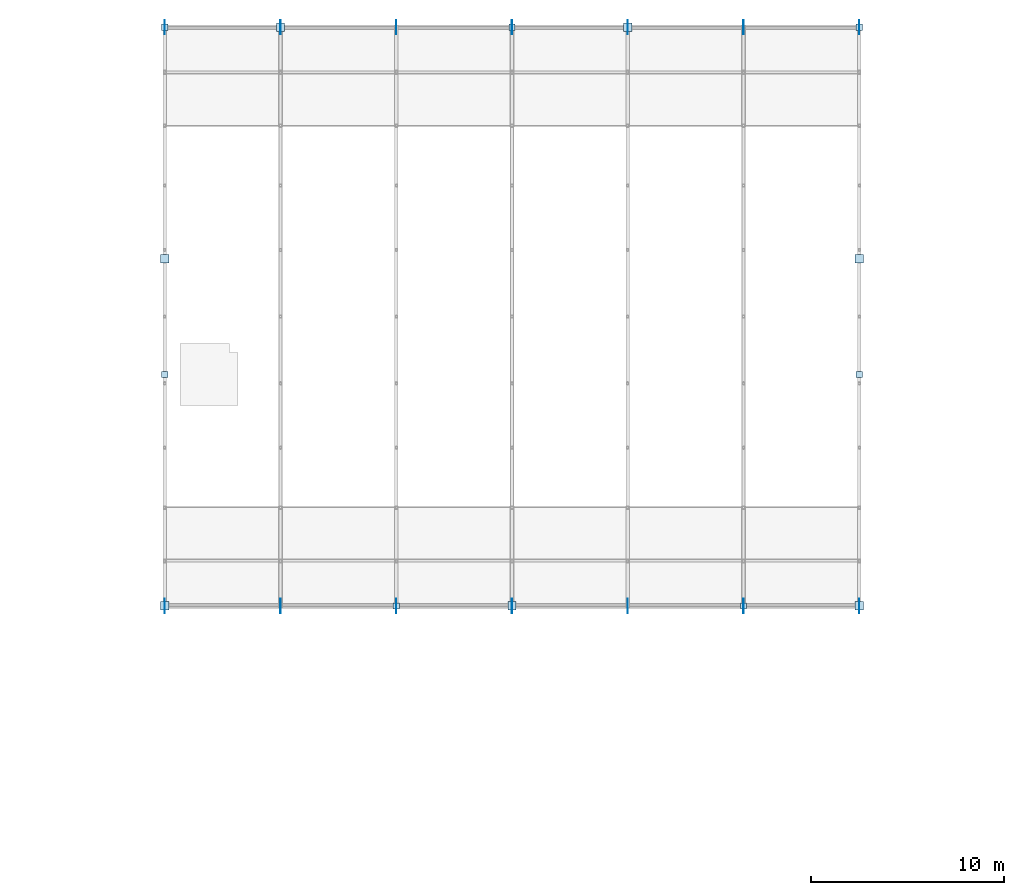
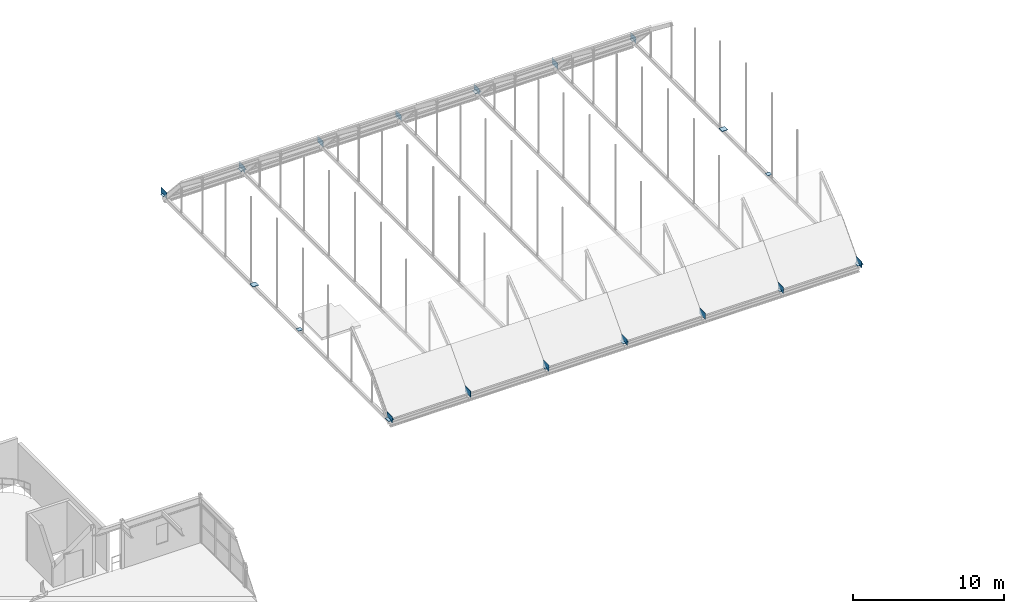
# One storey, part 46 of 63: 28 plates.
"""IFC4 building model written with IfcOpenShell, lengths in metres."""

from ifc_helpers import new_model, si_unit, direction, frame, origin, origin_2d, place, context, subcontext, project, spatial, rectangle, extrude, material, layer, layer_set, type_object, element, save


model = new_model("IFC4")

# Units and contexts
model_context = context("Model", 3, precision=1e-05, world=origin(), true_north=direction((0.0, 1.0)))
body_context = subcontext(model_context, "Body", "Model", "MODEL_VIEW")
ifc_project = project(units=[si_unit("LENGTHUNIT", "METRE"), si_unit("AREAUNIT", "SQUARE_METRE"), si_unit("VOLUMEUNIT", "CUBIC_METRE"), si_unit("PLANEANGLEUNIT", "RADIAN"), si_unit("MASSUNIT", "GRAM", prefix="KILO")], contexts=[model_context])

# Site, building, storey
site_placement = place(None, origin())
site = spatial("IfcSite", under=ifc_project, at=site_placement, CompositionType="ELEMENT")
building_placement = place(site_placement, origin())
building = spatial("IfcBuilding", under=site, at=building_placement, Name="Varnakota Square Police Headquarters", CompositionType="ELEMENT")
storey_placement = place(building_placement, frame((0.0, 0.0, 22.199951171875)))
storey = spatial("IfcBuildingStorey", under=building, at=storey_placement, Name="L05", CompositionType="ELEMENT", Elevation=22.199951171875)

# Plates
ifc_material = material(Name="Steel IS 2062 Grade 350", Category="steel")
ifc_layer_1 = layer(ifc_material, 0.01611328125, Name="Steel IS 2062 Grade 350")
ifc_layer_set_1 = layer_set([ifc_layer_1], Name="Steel IS 2062 Grade 350")
plate_type_1 = type_object("IfcPlateType", Name="PL-CAP-16", PredefinedType="SHEET", material=ifc_layer_set_1)
for number, where, z_axis, x_axis, name in (
    (1, (60.0, 81.0, -0.001953125), (0.0, 0.0, 1.0), (1.0, 0.0, 0.0), "Hollow column top cap plate CP-COL-X0600-Y0810"),
    (2, (60.0, 99.0, -0.001953125), (0.0, 0.0, 1.0), (1.0, 0.0, 0.0), "Hollow column top cap plate CP-COL-X0600-Y0990"),
    (3, (72.0, 69.0, -0.001953125), (0.0, 0.0, 1.0), (1.0, 0.0, 0.0), "Hollow column top cap plate CP-COL-X0720-Y0690"),
    (4, (78.0, 99.0, -0.001953125), (0.0, 0.0, 1.0), (1.0, 0.0, 0.0), "Hollow column top cap plate CP-COL-X0780-Y0990"),
    (5, (90.0, 69.0, -0.001953125), (0.0, 0.0, 1.0), (1.0, 0.0, 0.0), "Hollow column top cap plate CP-COL-X0900-Y0690"),
    (6, (96.0, 81.0, -0.001953125), (0.0, 0.0, 1.0), (1.0, 0.0, 0.0), "Hollow column top cap plate CP-COL-X0960-Y0810"),
    (7, (96.0, 99.0, -0.001953125), (0.0, 0.0, 1.0), (1.0, 0.0, 0.0), "Hollow column top cap plate CP-COL-X0960-Y0990"),
):
    element("IfcPlate", number, at=place(storey_placement, frame(where, z_axis=z_axis, x_axis=x_axis)), inside=storey, type_object=plate_type_1, Name=name, PredefinedType="SHEET", context=body_context, shape_type="SweptSolid", body=[
        extrude(rectangle(XDim=0.330078125, YDim=0.330078125, at=origin_2d()), origin(), (0.0, 0.0, 1.0), 0.01611328125),
    ])
ifc_layer_2 = layer(ifc_material, 0.02001953125, Name="Steel IS 2062 Grade 350")
ifc_layer_set_2 = layer_set([ifc_layer_2], Name="Steel IS 2062 Grade 350")
plate_type_2 = type_object("IfcPlateType", Name="PL-CAP-20", PredefinedType="SHEET", material=ifc_layer_set_2)
for number, where, z_axis, x_axis, name in (
    (8, (60.0, 69.0, -0.001953125), (0.0, 0.0, 1.0), (1.0, 0.0, 0.0), "Hollow column top cap plate CP-COL-X0600-Y0690"),
    (9, (60.0, 87.0, -0.001953125), (0.0, 0.0, 1.0), (1.0, 0.0, 0.0), "Hollow column top cap plate CP-COL-X0600-Y0870"),
    (10, (66.0, 99.0, -0.001953125), (0.0, 0.0, 1.0), (1.0, 0.0, 0.0), "Hollow column top cap plate CP-COL-X0660-Y0990"),
    (11, (78.0, 69.0, -0.001953125), (0.0, 0.0, 1.0), (1.0, 0.0, 0.0), "Hollow column top cap plate CP-COL-X0780-Y0690"),
    (12, (84.0, 99.0, -0.001953125), (0.0, 0.0, 1.0), (1.0, 0.0, 0.0), "Hollow column top cap plate CP-COL-X0840-Y0990"),
    (13, (96.0, 69.0, -0.001953125), (0.0, 0.0, 1.0), (1.0, 0.0, 0.0), "Hollow column top cap plate CP-COL-X0960-Y0690"),
    (14, (96.0, 87.0, -0.001953125), (0.0, 0.0, 1.0), (1.0, 0.0, 0.0), "Hollow column top cap plate CP-COL-X0960-Y0870"),
):
    element("IfcPlate", number, at=place(storey_placement, frame(where, z_axis=z_axis, x_axis=x_axis)), inside=storey, type_object=plate_type_2, Name=name, PredefinedType="SHEET", context=body_context, shape_type="SweptSolid", body=[
        extrude(rectangle(XDim=0.436279296875, YDim=0.436279296875, at=origin_2d()), origin(), (0.0, 0.0, 1.0), 0.02001953125),
    ])
ifc_layer_3 = layer(ifc_material, 0.01611328125, Name="Steel IS 2062 Grade 350")
ifc_layer_set_3 = layer_set([ifc_layer_3], Name="Steel IS 2062 Grade 350")
plate_type_3 = type_object("IfcPlateType", Name="PL-GUS-16", PredefinedType="SHEET", material=ifc_layer_set_3)
for number, where, z_axis, x_axis, name in (
    (15, (60.0, 69.0, -0.099853515625), (0.0, 0.0, 1.0), (1.0, 0.0, 0.0), "Vault springing gusset GP-017"),
    (16, (60.0, 99.0, -0.099853515625), (0.0, 0.0, 1.0), (1.0, 0.0, 0.0), "Vault springing gusset GP-018"),
    (17, (66.0, 69.0, -0.099853515625), (0.0, 0.0, 1.0), (1.0, 0.0, 0.0), "Vault springing gusset GP-019"),
    (18, (66.0, 99.0, -0.099853515625), (0.0, 0.0, 1.0), (1.0, 0.0, 0.0), "Vault springing gusset GP-020"),
    (19, (72.0, 69.0, -0.099853515625), (0.0, 0.0, 1.0), (1.0, 0.0, 0.0), "Vault springing gusset GP-021"),
    (20, (72.0, 99.0, -0.099853515625), (0.0, 0.0, 1.0), (1.0, 0.0, 0.0), "Vault springing gusset GP-022"),
    (21, (78.0, 69.0, -0.099853515625), (0.0, 0.0, 1.0), (1.0, 0.0, 0.0), "Vault springing gusset GP-023"),
    (22, (78.0, 99.0, -0.099853515625), (0.0, 0.0, 1.0), (1.0, 0.0, 0.0), "Vault springing gusset GP-024"),
    (23, (84.0, 69.0, -0.099853515625), (0.0, 0.0, 1.0), (1.0, 0.0, 0.0), "Vault springing gusset GP-025"),
    (24, (84.0, 99.0, -0.099853515625), (0.0, 0.0, 1.0), (1.0, 0.0, 0.0), "Vault springing gusset GP-026"),
    (25, (90.0, 69.0, -0.099853515625), (0.0, 0.0, 1.0), (1.0, 0.0, 0.0), "Vault springing gusset GP-027"),
    (26, (90.0, 99.0, -0.099853515625), (0.0, 0.0, 1.0), (1.0, 0.0, 0.0), "Vault springing gusset GP-028"),
    (27, (96.0, 69.0, -0.099853515625), (0.0, 0.0, 1.0), (1.0, 0.0, 0.0), "Vault springing gusset GP-029"),
    (28, (96.0, 99.0, -0.099853515625), (0.0, 0.0, 1.0), (1.0, 0.0, 0.0), "Vault springing gusset GP-030"),
):
    element("IfcPlate", number, at=place(storey_placement, frame(where, z_axis=z_axis, x_axis=x_axis)), inside=storey, type_object=plate_type_3, Name=name, PredefinedType="SHEET", context=body_context, shape_type="SweptSolid", body=[
        extrude(rectangle(XDim=0.01611328125, YDim=0.75, at=origin_2d()), origin(), (0.0, 0.0, 1.0), 0.5),
    ])

save(model, "model.ifc")
